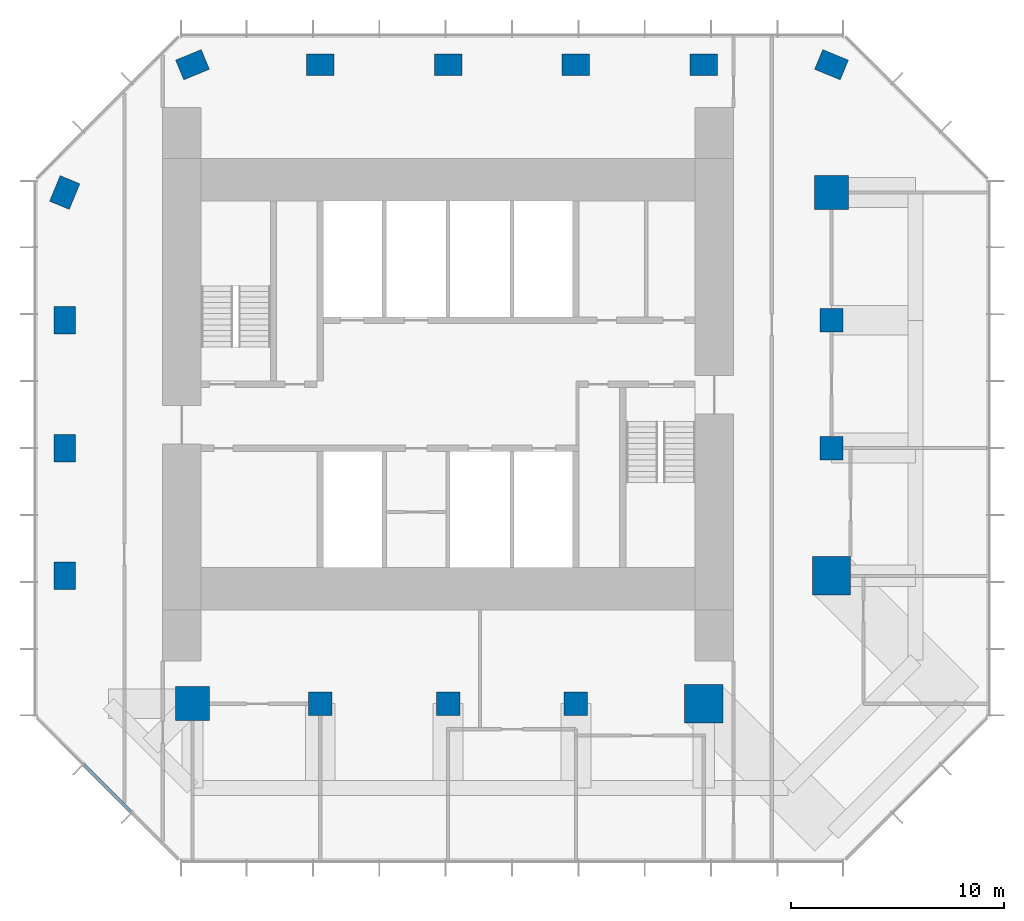
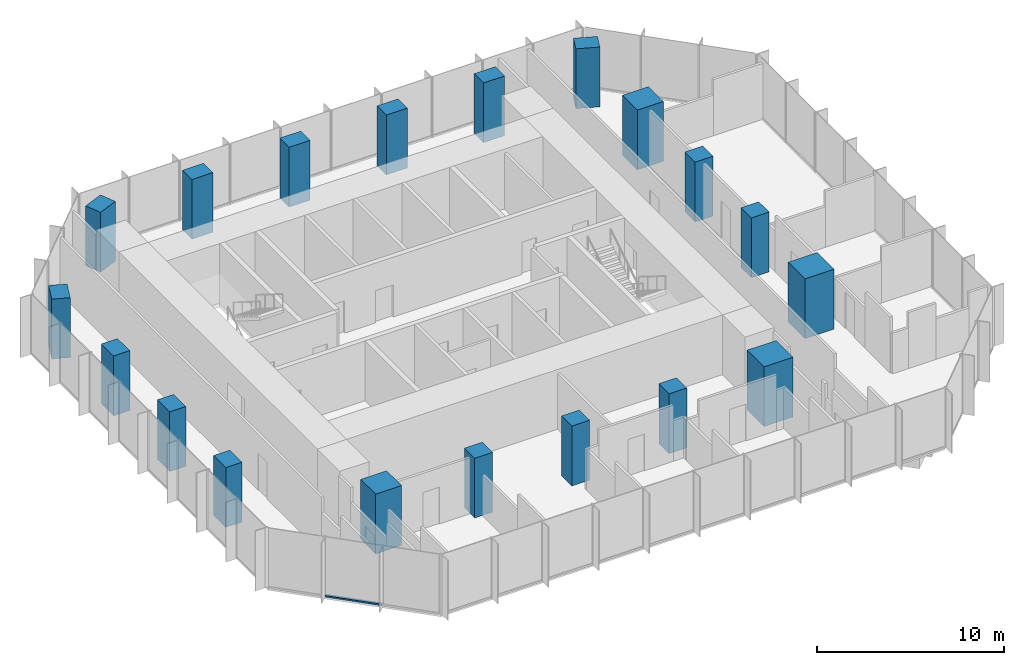
# One storey, part 1 of 11: 19 columns, 1 member, 1 element without a shape of its own.
"""IFC4 building model written with IfcOpenShell, lengths in metres."""

from ifc_helpers import new_model, si_unit, direction, frame, origin, origin_2d, place, context, subcontext, project, spatial, rectangle, extrude, material, layer, layer_set, material_profile, profile_set, type_object, element, aggregate, save


model = new_model("IFC4")

# Units and contexts
model_context = context("Model", 3, precision=1e-05, world=origin(), true_north=direction((0.0, 1.0)))
body_context = subcontext(model_context, "Body", "Model", "MODEL_VIEW")
ifc_project = project(units=[si_unit("LENGTHUNIT", "METRE"), si_unit("AREAUNIT", "SQUARE_METRE"), si_unit("VOLUMEUNIT", "CUBIC_METRE"), si_unit("PLANEANGLEUNIT", "RADIAN"), si_unit("MASSUNIT", "GRAM", prefix="KILO")], contexts=[model_context])

# Site, building, storey
site_placement = place(None, origin())
site = spatial("IfcSite", under=ifc_project, at=site_placement, CompositionType="ELEMENT")
building_placement = place(site_placement, origin())
building = spatial("IfcBuilding", under=site, at=building_placement, Name="Highveld Stack Headquarters", CompositionType="ELEMENT")
storey_placement = place(building_placement, frame((0.0, 0.0, 272.300048828125)))
storey = spatial("IfcBuildingStorey", under=building, at=storey_placement, Name="L67", CompositionType="ELEMENT", Elevation=272.300048828125)

# Columns
ifc_material_1 = material(Name="Concrete C60/75", Category="concrete")
ifc_material_profile_1 = material_profile(ifc_material_1, rectangle(XDim=1.10009765625, YDim=1.10009765625, at=origin_2d()), Name="RC 1100x1100")
ifc_profile_set_1 = profile_set([ifc_material_profile_1], Name="Concrete C60/75")
column_type_1 = type_object("IfcColumnType", Name="COLUMN RC 1100x1100 C60/75", PredefinedType="COLUMN", material=ifc_profile_set_1)
for number, where, z_axis, x_axis, name in (
    (1, (0.0, -12.0, 0.0), (0.0, 0.0, 1.0), (1.0, 0.0, 0.0), "Column 6/C L67"),
    (2, (6.0, -12.0, 0.0), (0.0, 0.0, 1.0), (1.0, 0.0, 0.0), "Column 7/C L67"),
    (3, (12.0, -12.0, 0.0), (0.0, 0.0, 1.0), (1.0, 0.0, 0.0), "Column 8/C L67"),
    (4, (24.0, 0.0, 0.0), (0.0, 0.0, 1.0), (1.0, 0.0, 0.0), "Column 10/E L67"),
    (5, (24.0, 6.0, 0.0), (0.0, 0.0, 1.0), (1.0, 0.0, 0.0), "Column 10/F L67"),
):
    element("IfcColumn", number, at=place(storey_placement, frame(where, z_axis=z_axis, x_axis=x_axis)), inside=storey, type_object=column_type_1, Name=name, PredefinedType="COLUMN", context=body_context, shape_type="SweptSolid", body=[
        extrude(rectangle(XDim=1.10009765625, YDim=1.10009765625, at=origin_2d()), origin(), (0.0, 0.0, 1.0), 3.89990234375),
    ])
ifc_material_2 = material(Name="Concrete C60/75", Category="concrete")
ifc_material_profile_2 = material_profile(ifc_material_2, rectangle(XDim=1.300048828125, YDim=1.0, at=origin_2d()), Name="RC 1300x1000")
ifc_profile_set_2 = profile_set([ifc_material_profile_2], Name="Concrete C60/75")
column_type_2 = type_object("IfcColumnType", Name="COLUMN RC 1300x1000 C60/75", PredefinedType="COLUMN", material=ifc_profile_set_2)
for number, where, z_axis, x_axis, name in (
    (6, (-12.0, -6.0, 0.0), (0.0, 0.0, 1.0), (0.0, 1.0, 0.0), "Column 4/D L67"),
    (7, (-12.0, 0.0, 0.0), (0.0, 0.0, 1.0), (0.0, 1.0, 0.0), "Column 4/E L67"),
    (8, (-12.0, 6.0, 0.0), (0.0, 0.0, 1.0), (0.0, 1.0, 0.0), "Column 4/F L67"),
    (9, (-12.0, 12.0, 0.0), (0.0, 0.0, 1.0), (0.382683432365, 0.923879532511, 0.0), "Column 4/G L67"),
    (10, (-6.0, 18.0, 0.0), (0.0, 0.0, 1.0), (0.923879532511, 0.382683432365, 0.0), "Column 5/H L67"),
    (11, (0.0, 18.0, 0.0), (0.0, 0.0, 1.0), (1.0, 0.0, 0.0), "Column 6/H L67"),
    (12, (6.0, 18.0, 0.0), (0.0, 0.0, 1.0), (1.0, 0.0, 0.0), "Column 7/H L67"),
    (13, (12.0, 18.0, 0.0), (0.0, 0.0, 1.0), (1.0, 0.0, 0.0), "Column 8/H L67"),
    (14, (18.0, 18.0, 0.0), (0.0, 0.0, 1.0), (1.0, 0.0, 0.0), "Column 9/H L67"),
    (15, (24.0, 18.0, 0.0), (0.0, 0.0, 1.0), (0.923879532511, -0.382683432365, 0.0), "Column 10/H L67"),
):
    element("IfcColumn", number, at=place(storey_placement, frame(where, z_axis=z_axis, x_axis=x_axis)), inside=storey, type_object=column_type_2, Name=name, PredefinedType="COLUMN", context=body_context, shape_type="SweptSolid", body=[
        extrude(rectangle(XDim=1.300048828125, YDim=1.0, at=origin_2d()), origin(), (0.0, 0.0, 1.0), 3.89990234375),
    ])
ifc_material_3 = material(Name="Concrete C60/75", Category="concrete")
ifc_material_profile_3 = material_profile(ifc_material_3, rectangle(XDim=1.60009765625, YDim=1.60009765625, at=origin_2d()), Name="RC 1600x1600")
ifc_profile_set_3 = profile_set([ifc_material_profile_3], Name="Concrete C60/75")
column_type_3 = type_object("IfcColumnType", Name="COLUMN RC 1600x1600 C60/75", PredefinedType="COLUMN", material=ifc_profile_set_3)
for number, where, z_axis, x_axis, name in (
    (16, (-6.0, -12.0, 0.0), (0.0, 0.0, 1.0), (1.0, 0.0, 0.0), "Column 5/C L67"),
    (17, (24.0, 12.0, 0.0), (0.0, 0.0, 1.0), (1.0, 0.0, 0.0), "Column 10/G L67"),
):
    element("IfcColumn", number, at=place(storey_placement, frame(where, z_axis=z_axis, x_axis=x_axis)), inside=storey, type_object=column_type_3, Name=name, PredefinedType="COLUMN", context=body_context, shape_type="SweptSolid", body=[
        extrude(rectangle(XDim=1.60009765625, YDim=1.60009765625, at=origin_2d()), origin(), (0.0, 0.0, 1.0), 3.89990234375),
    ])
ifc_material_4 = material(Name="Concrete C60/75", Category="concrete")
ifc_material_profile_4 = material_profile(ifc_material_4, rectangle(XDim=1.800048828125, YDim=1.800048828125, at=origin_2d()), Name="RC 1800x1800")
ifc_profile_set_4 = profile_set([ifc_material_profile_4], Name="Concrete C60/75")
column_type_4 = type_object("IfcColumnType", Name="COLUMN RC 1800x1800 C60/75", PredefinedType="COLUMN", material=ifc_profile_set_4)
for number, where, z_axis, x_axis, name in (
    (18, (18.0, -12.0, 0.0), (0.0, 0.0, 1.0), (1.0, 0.0, 0.0), "Column 9/C L67"),
    (19, (24.0, -6.0, 0.0), (0.0, 0.0, 1.0), (1.0, 0.0, 0.0), "Column 10/D L67"),
):
    element("IfcColumn", number, at=place(storey_placement, frame(where, z_axis=z_axis, x_axis=x_axis)), inside=storey, type_object=column_type_4, Name=name, PredefinedType="COLUMN", context=body_context, shape_type="SweptSolid", body=[
        extrude(rectangle(XDim=1.800048828125, YDim=1.800048828125, at=origin_2d()), origin(), (0.0, 0.0, 1.0), 3.89990234375),
    ])

# Curtain wall, member
ifc_material_5 = material(Name="Aluminium bronze anodised", Category="aluminium")
ifc_layer = layer(ifc_material_5, 0.199951171875)
ifc_layer_set = layer_set([ifc_layer], Name="Aluminium bronze anodised")
curtain_wall_type = type_object("IfcCurtainWallType", Name="CW5 EXECUTIVE UNITISED CURTAIN WALL", PredefinedType="NOTDEFINED", material=ifc_layer_set)
curtain_wall_placement = place(storey_placement, origin())
curtain_wall = element("IfcCurtainWall", 20, at=curtain_wall_placement, inside=storey, type_object=curtain_wall_type, Name="Curtain wall CW5 L67 SW", PredefinedType="NOTDEFINED")
ifc_material_6 = material(Name="Aluminium bronze anodised", Category="aluminium")
ifc_material_profile_5 = material_profile(ifc_material_6, rectangle(XDim=0.14990234375, YDim=0.10009765625, at=origin_2d()), Name="CW5 TRANSOM 150x100")
ifc_profile_set_5 = profile_set([ifc_material_profile_5], Name="Aluminium bronze anodised")
member_type = type_object("IfcMemberType", Name="CW5 STACK TRANSOM 150x100", PredefinedType="USERDEFINED", material=ifc_profile_set_5)
member_placement = place(storey_placement, frame((-11.103759765625, -14.876220703125, 0.050048828125), z_axis=(0.707106781187, -0.707106781187, 0.0), x_axis=(0.707106781187, 0.707106781187, 0.0)))
member = element("IfcMember", 21, at=member_placement, type_object=member_type, Name="CW5 transom L67 2.1", ObjectType="TRANSOM", PredefinedType="USERDEFINED", context=body_context, shape_type="SweptSolid", body=[
    extrude(rectangle(XDim=0.14990234375, YDim=0.10009765625, at=origin_2d()), origin(), (0.0, 0.0, 1.0), 3.150146484375),
])
aggregate(curtain_wall, [member])

save(model, "model.ifc")
